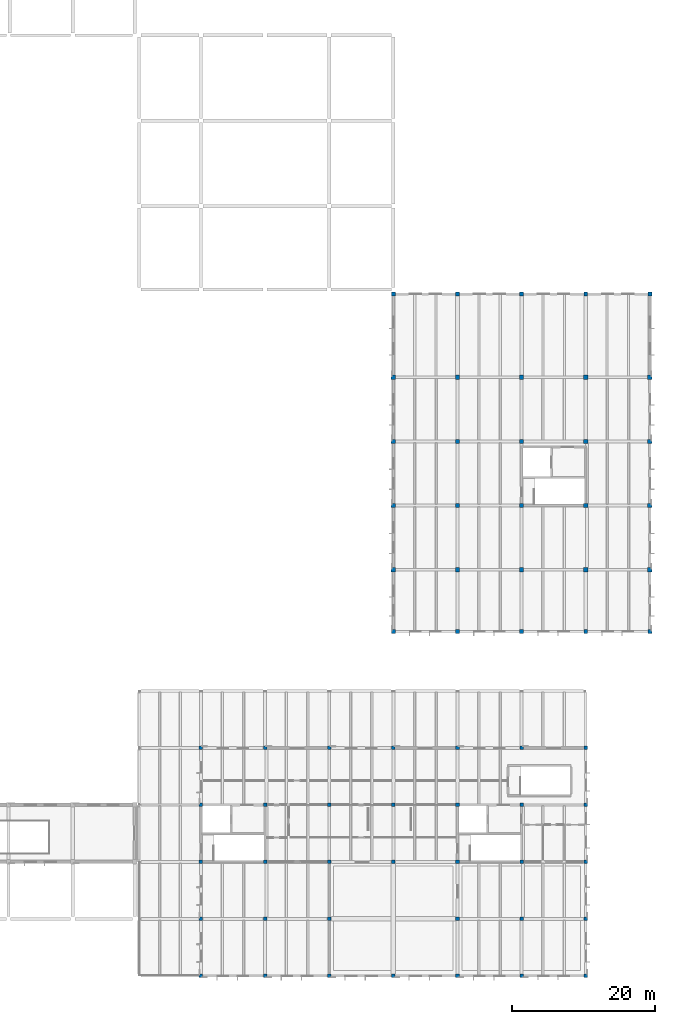
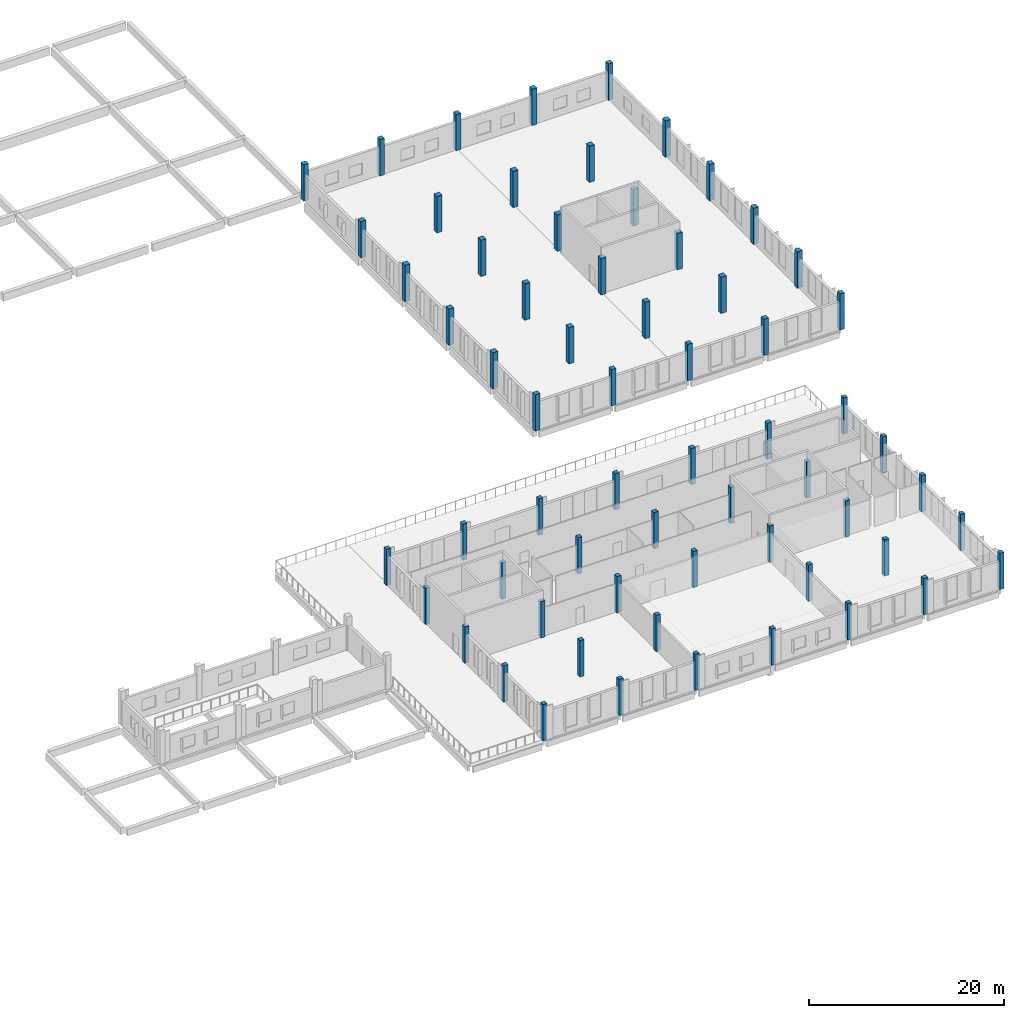
# One storey, part 2 of 25: 64 columns.
"""IFC4 building model written with IfcOpenShell, lengths in metres."""

from ifc_helpers import new_model, si_unit, direction, frame, origin, origin_2d, place, context, subcontext, project, spatial, rectangle, extrude, material, material_profile, profile_set, type_object, element, save


model = new_model("IFC4")

# Units and contexts
model_context = context("Model", 3, precision=1e-05, world=origin(), true_north=direction((0.0, 1.0)))
body_context = subcontext(model_context, "Body", "Model", "MODEL_VIEW")
ifc_project = project(units=[si_unit("LENGTHUNIT", "METRE"), si_unit("AREAUNIT", "SQUARE_METRE"), si_unit("VOLUMEUNIT", "CUBIC_METRE"), si_unit("PLANEANGLEUNIT", "RADIAN"), si_unit("MASSUNIT", "GRAM", prefix="KILO")], contexts=[model_context])

# Site, building, storey
site_placement = place(None, origin())
site = spatial("IfcSite", under=ifc_project, at=site_placement, CompositionType="ELEMENT")
building_placement = place(site_placement, origin())
building = spatial("IfcBuilding", under=site, at=building_placement, Name="Zacnel Wholesale Market", CompositionType="ELEMENT")
storey_placement = place(building_placement, frame((0.0, 0.0, 15.75)))
storey = spatial("IfcBuildingStorey", under=building, at=storey_placement, Name="L04", CompositionType="ELEMENT", Elevation=15.75)

# Columns
ifc_material_1 = material(Name="Precast concrete C45/55", Category="concrete")
ifc_material_profile_1 = material_profile(ifc_material_1, rectangle(XDim=0.5, YDim=0.5, at=origin_2d()), Name="PC 500x500")
ifc_profile_set_1 = profile_set([ifc_material_profile_1], Name="Precast concrete C45/55")
column_type_1 = type_object("IfcColumnType", Name="COL-PC500", PredefinedType="COLUMN", material=ifc_profile_set_1)
for number, where, z_axis, x_axis, name in (
    (1, (153.0, 0.0, 0.0), (0.0, 0.0, 1.0), (1.0, 0.0, 0.0), "Precast column L04-0909"),
    (2, (153.0, 8.0, 0.0), (0.0, 0.0, 1.0), (1.0, 0.0, 0.0), "Precast column L04-0910"),
    (3, (153.0, 16.0, 0.0), (0.0, 0.0, 1.0), (1.0, 0.0, 0.0), "Precast column L04-0911"),
    (4, (153.0, 24.0, 0.0), (0.0, 0.0, 1.0), (1.0, 0.0, 0.0), "Precast column L04-0912"),
    (5, (153.0, 32.0, 0.0), (0.0, 0.0, 1.0), (1.0, 0.0, 0.0), "Precast column L04-0913"),
    (6, (162.0, 0.0, 0.0), (0.0, 0.0, 1.0), (1.0, 0.0, 0.0), "Precast column L04-0914"),
    (7, (162.0, 8.0, 0.0), (0.0, 0.0, 1.0), (1.0, 0.0, 0.0), "Precast column L04-0915"),
    (8, (162.0, 16.0, 0.0), (0.0, 0.0, 1.0), (1.0, 0.0, 0.0), "Precast column L04-0916"),
    (9, (162.0, 24.0, 0.0), (0.0, 0.0, 1.0), (1.0, 0.0, 0.0), "Precast column L04-0917"),
    (10, (162.0, 32.0, 0.0), (0.0, 0.0, 1.0), (1.0, 0.0, 0.0), "Precast column L04-0918"),
    (11, (171.0, 0.0, 0.0), (0.0, 0.0, 1.0), (1.0, 0.0, 0.0), "Precast column L04-0919"),
    (12, (171.0, 8.0, 0.0), (0.0, 0.0, 1.0), (1.0, 0.0, 0.0), "Precast column L04-0920"),
    (13, (171.0, 16.0, 0.0), (0.0, 0.0, 1.0), (1.0, 0.0, 0.0), "Precast column L04-0921"),
    (14, (171.0, 24.0, 0.0), (0.0, 0.0, 1.0), (1.0, 0.0, 0.0), "Precast column L04-0922"),
    (15, (171.0, 32.0, 0.0), (0.0, 0.0, 1.0), (1.0, 0.0, 0.0), "Precast column L04-0923"),
    (16, (180.0, 0.0, 0.0), (0.0, 0.0, 1.0), (1.0, 0.0, 0.0), "Precast column L04-0924"),
    (17, (180.0, 16.0, 0.0), (0.0, 0.0, 1.0), (1.0, 0.0, 0.0), "Precast column L04-0925"),
    (18, (180.0, 24.0, 0.0), (0.0, 0.0, 1.0), (1.0, 0.0, 0.0), "Precast column L04-0926"),
    (19, (180.0, 32.0, 0.0), (0.0, 0.0, 1.0), (1.0, 0.0, 0.0), "Precast column L04-0927"),
    (20, (189.0, 0.0, 0.0), (0.0, 0.0, 1.0), (1.0, 0.0, 0.0), "Precast column L04-0934"),
    (21, (189.0, 8.0, 0.0), (0.0, 0.0, 1.0), (1.0, 0.0, 0.0), "Precast column L04-0935"),
    (22, (189.0, 16.0, 0.0), (0.0, 0.0, 1.0), (1.0, 0.0, 0.0), "Precast column L04-0936"),
    (23, (189.0, 24.0, 0.0), (0.0, 0.0, 1.0), (1.0, 0.0, 0.0), "Precast column L04-0937"),
    (24, (189.0, 32.0, 0.0), (0.0, 0.0, 1.0), (1.0, 0.0, 0.0), "Precast column L04-0938"),
    (25, (198.0, 0.0, 0.0), (0.0, 0.0, 1.0), (1.0, 0.0, 0.0), "Precast column L04-0945"),
    (26, (198.0, 8.0, 0.0), (0.0, 0.0, 1.0), (1.0, 0.0, 0.0), "Precast column L04-0946"),
    (27, (198.0, 16.0, 0.0), (0.0, 0.0, 1.0), (1.0, 0.0, 0.0), "Precast column L04-0947"),
    (28, (198.0, 24.0, 0.0), (0.0, 0.0, 1.0), (1.0, 0.0, 0.0), "Precast column L04-0948"),
    (29, (198.0, 32.0, 0.0), (0.0, 0.0, 1.0), (1.0, 0.0, 0.0), "Precast column L04-0949"),
    (30, (207.0, 0.0, 0.0), (0.0, 0.0, 1.0), (1.0, 0.0, 0.0), "Precast column L04-0956"),
    (31, (207.0, 8.0, 0.0), (0.0, 0.0, 1.0), (1.0, 0.0, 0.0), "Precast column L04-0957"),
    (32, (207.0, 16.0, 0.0), (0.0, 0.0, 1.0), (1.0, 0.0, 0.0), "Precast column L04-0958"),
    (33, (207.0, 24.0, 0.0), (0.0, 0.0, 1.0), (1.0, 0.0, 0.0), "Precast column L04-0959"),
    (34, (207.0, 32.0, 0.0), (0.0, 0.0, 1.0), (1.0, 0.0, 0.0), "Precast column L04-0960"),
):
    element("IfcColumn", number, at=place(storey_placement, frame(where, z_axis=z_axis, x_axis=x_axis)), inside=storey, type_object=column_type_1, Name=name, PredefinedType="COLUMN", context=body_context, shape_type="SweptSolid", body=[
        extrude(rectangle(XDim=0.5, YDim=0.5, at=origin_2d()), origin(), (0.0, 0.0, 1.0), 4.550048828125),
    ])
ifc_material_2 = material(Name="Precast concrete C45/55", Category="concrete")
ifc_material_profile_2 = material_profile(ifc_material_2, rectangle(XDim=0.550048828125, YDim=0.550048828125, at=origin_2d()), Name="PC 550x550")
ifc_profile_set_2 = profile_set([ifc_material_profile_2], Name="Precast concrete C45/55")
column_type_2 = type_object("IfcColumnType", Name="COL-PC550", PredefinedType="COLUMN", material=ifc_profile_set_2)
for number, where, z_axis, x_axis, name in (
    (35, (180.0, 48.300048828125, 0.0), (0.0, 0.0, 1.0), (1.0, 0.0, 0.0), "Precast column L04-0928"),
    (36, (180.0, 95.699951171875, 0.0), (0.0, 0.0, 1.0), (1.0, 0.0, 0.0), "Precast column L04-0933"),
    (37, (189.0, 48.300048828125, 0.0), (0.0, 0.0, 1.0), (1.0, 0.0, 0.0), "Precast column L04-0939"),
    (38, (189.0, 95.699951171875, 0.0), (0.0, 0.0, 1.0), (1.0, 0.0, 0.0), "Precast column L04-0944"),
    (39, (198.0, 48.300048828125, 0.0), (0.0, 0.0, 1.0), (1.0, 0.0, 0.0), "Precast column L04-0950"),
    (40, (198.0, 95.699951171875, 0.0), (0.0, 0.0, 1.0), (1.0, 0.0, 0.0), "Precast column L04-0955"),
    (41, (207.0, 48.300048828125, 0.0), (0.0, 0.0, 1.0), (1.0, 0.0, 0.0), "Precast column L04-0961"),
    (42, (207.0, 95.699951171875, 0.0), (0.0, 0.0, 1.0), (1.0, 0.0, 0.0), "Precast column L04-0966"),
    (43, (216.0, 48.300048828125, 0.0), (0.0, 0.0, 1.0), (1.0, 0.0, 0.0), "Precast column L04-0967"),
    (44, (216.0, 95.699951171875, 0.0), (0.0, 0.0, 1.0), (1.0, 0.0, 0.0), "Precast column L04-0972"),
):
    element("IfcColumn", number, at=place(storey_placement, frame(where, z_axis=z_axis, x_axis=x_axis)), inside=storey, type_object=column_type_2, Name=name, PredefinedType="COLUMN", context=body_context, shape_type="SweptSolid", body=[
        extrude(rectangle(XDim=0.550048828125, YDim=0.550048828125, at=origin_2d()), origin(), (0.0, 0.0, 1.0), 4.550048828125),
    ])
ifc_material_3 = material(Name="Precast concrete C45/55", Category="concrete")
ifc_material_profile_3 = material_profile(ifc_material_3, rectangle(XDim=0.60009765625, YDim=0.60009765625, at=origin_2d()), Name="PC 600x600")
ifc_profile_set_3 = profile_set([ifc_material_profile_3], Name="Precast concrete C45/55")
column_type_3 = type_object("IfcColumnType", Name="COL-PC600", PredefinedType="COLUMN", material=ifc_profile_set_3)
for number, where, z_axis, x_axis, name in (
    (45, (180.0, 57.0, 0.0), (0.0, 0.0, 1.0), (1.0, 0.0, 0.0), "Precast column L04-0929"),
    (46, (180.0, 66.0, 0.0), (0.0, 0.0, 1.0), (1.0, 0.0, 0.0), "Precast column L04-0930"),
    (47, (180.0, 75.0, 0.0), (0.0, 0.0, 1.0), (1.0, 0.0, 0.0), "Precast column L04-0931"),
    (48, (180.0, 84.0, 0.0), (0.0, 0.0, 1.0), (1.0, 0.0, 0.0), "Precast column L04-0932"),
    (49, (189.0, 57.0, 0.0), (0.0, 0.0, 1.0), (1.0, 0.0, 0.0), "Precast column L04-0940"),
    (50, (189.0, 66.0, 0.0), (0.0, 0.0, 1.0), (1.0, 0.0, 0.0), "Precast column L04-0941"),
    (51, (189.0, 75.0, 0.0), (0.0, 0.0, 1.0), (1.0, 0.0, 0.0), "Precast column L04-0942"),
    (52, (189.0, 84.0, 0.0), (0.0, 0.0, 1.0), (1.0, 0.0, 0.0), "Precast column L04-0943"),
    (53, (198.0, 57.0, 0.0), (0.0, 0.0, 1.0), (1.0, 0.0, 0.0), "Precast column L04-0951"),
    (54, (198.0, 66.0, 0.0), (0.0, 0.0, 1.0), (1.0, 0.0, 0.0), "Precast column L04-0952"),
    (55, (198.0, 75.0, 0.0), (0.0, 0.0, 1.0), (1.0, 0.0, 0.0), "Precast column L04-0953"),
    (56, (198.0, 84.0, 0.0), (0.0, 0.0, 1.0), (1.0, 0.0, 0.0), "Precast column L04-0954"),
    (57, (207.0, 57.0, 0.0), (0.0, 0.0, 1.0), (1.0, 0.0, 0.0), "Precast column L04-0962"),
    (58, (207.0, 66.0, 0.0), (0.0, 0.0, 1.0), (1.0, 0.0, 0.0), "Precast column L04-0963"),
    (59, (207.0, 75.0, 0.0), (0.0, 0.0, 1.0), (1.0, 0.0, 0.0), "Precast column L04-0964"),
    (60, (207.0, 84.0, 0.0), (0.0, 0.0, 1.0), (1.0, 0.0, 0.0), "Precast column L04-0965"),
    (61, (216.0, 57.0, 0.0), (0.0, 0.0, 1.0), (1.0, 0.0, 0.0), "Precast column L04-0968"),
    (62, (216.0, 66.0, 0.0), (0.0, 0.0, 1.0), (1.0, 0.0, 0.0), "Precast column L04-0969"),
    (63, (216.0, 75.0, 0.0), (0.0, 0.0, 1.0), (1.0, 0.0, 0.0), "Precast column L04-0970"),
    (64, (216.0, 84.0, 0.0), (0.0, 0.0, 1.0), (1.0, 0.0, 0.0), "Precast column L04-0971"),
):
    element("IfcColumn", number, at=place(storey_placement, frame(where, z_axis=z_axis, x_axis=x_axis)), inside=storey, type_object=column_type_3, Name=name, PredefinedType="COLUMN", context=body_context, shape_type="SweptSolid", body=[
        extrude(rectangle(XDim=0.60009765625, YDim=0.60009765625, at=origin_2d()), origin(), (0.0, 0.0, 1.0), 4.550048828125),
    ])

save(model, "model.ifc")
